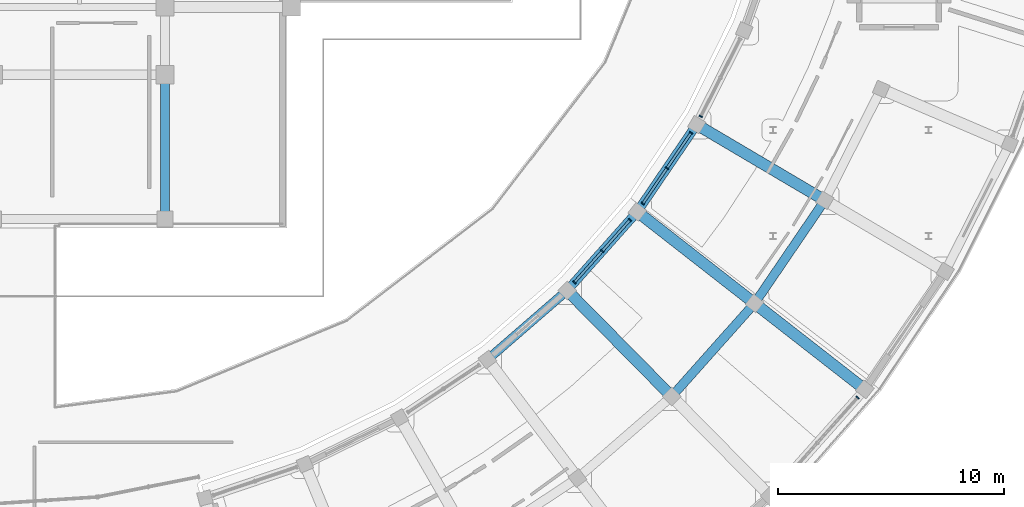
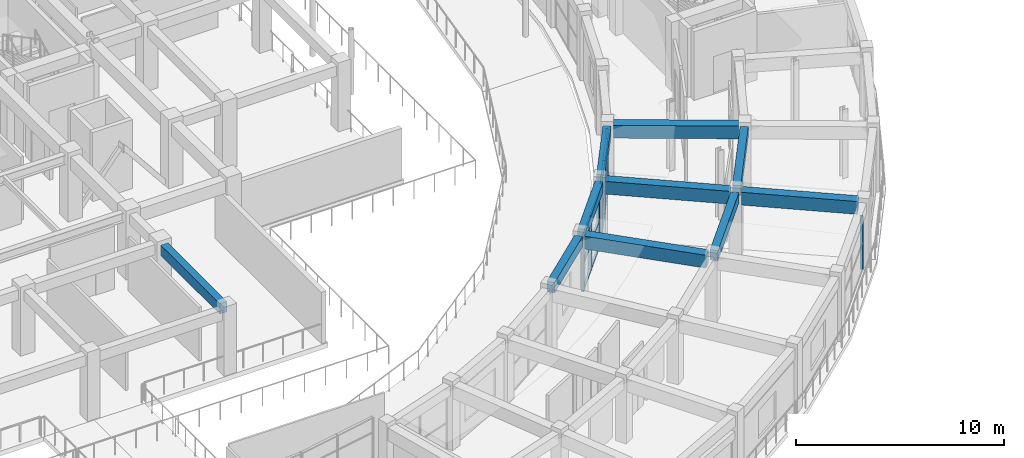
# One storey, part 21 of 83: 20 members, 10 beams, 4 elements without a shape of their own.
"""IFC4 building model written with IfcOpenShell, lengths in metres."""

from ifc_helpers import new_model, si_unit, direction, frame, origin, origin_2d, place, context, subcontext, project, spatial, rectangle, extrude, material, material_profile, profile_set, type_object, element, aggregate, save


model = new_model("IFC4")

# Units and contexts
model_context = context("Model", 3, precision=1e-05, world=origin(), true_north=direction((0.0, 1.0)))
body_context = subcontext(model_context, "Body", "Model", "MODEL_VIEW")
ifc_project = project(units=[si_unit("LENGTHUNIT", "METRE"), si_unit("AREAUNIT", "SQUARE_METRE"), si_unit("VOLUMEUNIT", "CUBIC_METRE"), si_unit("PLANEANGLEUNIT", "RADIAN"), si_unit("MASSUNIT", "GRAM", prefix="KILO")], contexts=[model_context])

# Site, building, storey
site_placement = place(None, origin())
site = spatial("IfcSite", under=ifc_project, at=site_placement, CompositionType="ELEMENT")
building_placement = place(site_placement, origin())
building = spatial("IfcBuilding", under=site, at=building_placement, Name="Saryqyr Civic Hall", CompositionType="ELEMENT")
storey_placement = place(building_placement, frame((0.0, 0.0, 9.14990234375)))
storey = spatial("IfcBuildingStorey", under=building, at=storey_placement, Name="L02", CompositionType="ELEMENT", Elevation=9.14990234375)

# Curtain wall, member
ifc_material_1 = material(Name="Anodised aluminium and triple low-E glass", Category="aluminium")
curtain_wall_type_1 = type_object("IfcCurtainWallType", Name="ENV-CW-STD-39", PredefinedType="NOTDEFINED", material=ifc_material_1)
curtain_wall_1_placement = place(storey_placement, origin())
curtain_wall_1 = element("IfcCurtainWall", 1, at=curtain_wall_1_placement, inside=storey, type_object=curtain_wall_type_1, Name="Curtain wall V5-CWO-L02-04", PredefinedType="NOTDEFINED")
ifc_material_2 = material(Name="Anodised aluminium", Category="aluminium")
ifc_material_profile_1 = material_profile(ifc_material_2, rectangle(XDim=0.06005859375, YDim=0.159912109375, at=origin_2d()), Name="ALU MULLION 60x160")
ifc_profile_set_1 = profile_set([ifc_material_profile_1], Name="Anodised aluminium")
member_type_1 = type_object("IfcMemberType", Name="ENV-CW-MUL-180", PredefinedType="MULLION", material=ifc_profile_set_1)
member_1_placement = place(storey_placement, frame((95.302978515625, 53.487060546875, 0.0), z_axis=(0.0, 0.0, 1.0), x_axis=(-0.664934159467, -0.746901977219, 0.0)))
member_1 = element("IfcMember", 2, at=member_1_placement, type_object=member_type_1, Name="CW-39 mullion 1", PredefinedType="MULLION", context=body_context, shape_type="SweptSolid", body=[
    extrude(rectangle(XDim=0.06005859375, YDim=0.159912109375, at=origin_2d()), origin(), (0.0, 0.0, 1.0), 3.1650390625),
])
aggregate(curtain_wall_1, [member_1])

# Curtain wall, members
curtain_wall_type_2 = type_object("IfcCurtainWallType", Name="ENV-CW-STD-27", PredefinedType="NOTDEFINED", material=ifc_material_1)
curtain_wall_2_placement = place(storey_placement, origin())
curtain_wall_2 = element("IfcCurtainWall", 3, at=curtain_wall_2_placement, inside=storey, type_object=curtain_wall_type_2, Name="Curtain wall V5-CWI-L02-04", PredefinedType="NOTDEFINED")
member_2_placement = place(storey_placement, frame((82.74951171875, 58.595947265625, 0.0), z_axis=(0.0, 0.0, 1.0), x_axis=(0.664934070862, 0.7469020561, 0.0)))
member_2 = element("IfcMember", 4, at=member_2_placement, type_object=member_type_1, Name="CW-27 mullion 1", PredefinedType="MULLION", context=body_context, shape_type="SweptSolid", body=[
    extrude(rectangle(XDim=0.06005859375, YDim=0.159912109375, at=origin_2d()), origin(), (0.0, 0.0, 1.0), 3.1650390625),
])
member_3_placement = place(storey_placement, frame((83.981201171875, 59.9794921875, 0.0), z_axis=(0.0, 0.0, 1.0), x_axis=(0.664934070862, 0.7469020561, 0.0)))
member_3 = element("IfcMember", 5, at=member_3_placement, type_object=member_type_1, Name="CW-27 mullion 2", PredefinedType="MULLION", context=body_context, shape_type="SweptSolid", body=[
    extrude(rectangle(XDim=0.06005859375, YDim=0.159912109375, at=origin_2d()), origin(), (0.0, 0.0, 1.0), 3.1650390625),
])
member_4_placement = place(storey_placement, frame((85.213134765625, 61.363037109375, 0.0), z_axis=(0.0, 0.0, 1.0), x_axis=(0.664934070862, 0.7469020561, 0.0)))
member_4 = element("IfcMember", 6, at=member_4_placement, type_object=member_type_1, Name="CW-27 mullion 3", PredefinedType="MULLION", context=body_context, shape_type="SweptSolid", body=[
    extrude(rectangle(XDim=0.06005859375, YDim=0.159912109375, at=origin_2d()), origin(), (0.0, 0.0, 1.0), 3.1650390625),
])

curtain_wall_3_placement = place(storey_placement, origin())
curtain_wall_3 = element("IfcCurtainWall", 7, at=curtain_wall_3_placement, inside=storey, type_object=curtain_wall_type_2, Name="Curtain wall V5-CWI-L02-05", PredefinedType="NOTDEFINED")
member_5_placement = place(storey_placement, frame((85.7841796875, 62.09033203125, 0.0), z_axis=(0.0, 0.0, 1.0), x_axis=(0.563129803105, 0.826368455869, 0.0)))
member_5 = element("IfcMember", 8, at=member_5_placement, type_object=member_type_1, Name="CW-27 mullion 1", PredefinedType="MULLION", context=body_context, shape_type="SweptSolid", body=[
    extrude(rectangle(XDim=0.06005859375, YDim=0.159912109375, at=origin_2d()), origin(), (0.0, 0.0, 1.0), 3.1650390625),
])
member_6_placement = place(storey_placement, frame((86.85205078125, 63.6572265625, 0.0), z_axis=(0.0, 0.0, 1.0), x_axis=(0.563129803105, 0.826368455869, 0.0)))
member_6 = element("IfcMember", 9, at=member_6_placement, type_object=member_type_1, Name="CW-27 mullion 2", PredefinedType="MULLION", context=body_context, shape_type="SweptSolid", body=[
    extrude(rectangle(XDim=0.06005859375, YDim=0.159912109375, at=origin_2d()), origin(), (0.0, 0.0, 1.0), 3.1650390625),
])
member_7_placement = place(storey_placement, frame((87.919921875, 65.22412109375, 0.0), z_axis=(0.0, 0.0, 1.0), x_axis=(0.563129803105, 0.826368455869, 0.0)))
member_7 = element("IfcMember", 10, at=member_7_placement, type_object=member_type_1, Name="CW-27 mullion 3", PredefinedType="MULLION", context=body_context, shape_type="SweptSolid", body=[
    extrude(rectangle(XDim=0.06005859375, YDim=0.159912109375, at=origin_2d()), origin(), (0.0, 0.0, 1.0), 3.1650390625),
])

# Curtain wall, member
curtain_wall_type_3 = type_object("IfcCurtainWallType", Name="ENV-CW-STD-25", PredefinedType="NOTDEFINED", material=ifc_material_1)
curtain_wall_4_placement = place(storey_placement, origin())
curtain_wall_4 = element("IfcCurtainWall", 11, at=curtain_wall_4_placement, inside=storey, type_object=curtain_wall_type_3, Name="Curtain wall V5-CWI-L02-06", PredefinedType="NOTDEFINED")
member_8_placement = place(storey_placement, frame((88.354248046875, 65.955810546875, 0.0), z_axis=(0.0, 0.0, 1.0), x_axis=(0.451909750219, 0.892063662334, 0.0)))
member_8 = element("IfcMember", 12, at=member_8_placement, type_object=member_type_1, Name="CW-25 mullion 1", PredefinedType="MULLION", context=body_context, shape_type="SweptSolid", body=[
    extrude(rectangle(XDim=0.06005859375, YDim=0.159912109375, at=origin_2d()), origin(), (0.0, 0.0, 1.0), 3.1650390625),
])
aggregate(curtain_wall_4, [member_8])

# Member
ifc_material_profile_2 = material_profile(ifc_material_2, rectangle(XDim=0.1201171875, YDim=0.06005859375, at=origin_2d()), Name="ALU TRANSOM 120x60")
ifc_profile_set_2 = profile_set([ifc_material_profile_2], Name="Anodised aluminium")
member_type_2 = type_object("IfcMemberType", Name="ENV-CW-TRN-150", PredefinedType="USERDEFINED", material=ifc_profile_set_2)
member_9_placement = place(storey_placement, frame((82.76953125, 58.618408203125, 0.030029296875), z_axis=(0.664989244005, 0.746852934223, 0.0), x_axis=(-0.746852934223, 0.664989244005, 0.0)))
member_9 = element("IfcMember", 13, at=member_9_placement, type_object=member_type_2, Name="CW-27 transom 1.1", ObjectType="TRANSOM", PredefinedType="USERDEFINED", context=body_context, shape_type="SweptSolid", body=[
    extrude(rectangle(XDim=0.1201171875, YDim=0.06005859375, at=origin_2d()), origin(), (0.0, 0.0, 1.0), 1.792236328125),
])

member_10_placement = place(storey_placement, frame((82.76953125, 58.618408203125, 1.58203125), z_axis=(0.664989244005, 0.746852934223, 0.0), x_axis=(-0.746852934223, 0.664989244005, 0.0)))
member_10 = element("IfcMember", 14, at=member_10_placement, type_object=member_type_2, Name="CW-27 transom 1.2", ObjectType="TRANSOM", PredefinedType="USERDEFINED", context=body_context, shape_type="SweptSolid", body=[
    extrude(rectangle(XDim=0.1201171875, YDim=0.06005859375, at=origin_2d()), origin(), (0.0, 0.0, 1.0), 1.792236328125),
])

member_11_placement = place(storey_placement, frame((82.76953125, 58.618408203125, 3.135009765625), z_axis=(0.664989244005, 0.746852934223, 0.0), x_axis=(-0.746852934223, 0.664989244005, 0.0)))
member_11 = element("IfcMember", 15, at=member_11_placement, type_object=member_type_2, Name="CW-27 transom 1.3", ObjectType="TRANSOM", PredefinedType="USERDEFINED", context=body_context, shape_type="SweptSolid", body=[
    extrude(rectangle(XDim=0.1201171875, YDim=0.06005859375, at=origin_2d()), origin(), (0.0, 0.0, 1.0), 1.792236328125),
])

member_12_placement = place(storey_placement, frame((84.001220703125, 60.001953125, 0.030029296875), z_axis=(0.664989244005, 0.746852934223, 0.0), x_axis=(-0.746852934223, 0.664989244005, 0.0)))
member_12 = element("IfcMember", 16, at=member_12_placement, type_object=member_type_2, Name="CW-27 transom 2.1", ObjectType="TRANSOM", PredefinedType="USERDEFINED", context=body_context, shape_type="SweptSolid", body=[
    extrude(rectangle(XDim=0.1201171875, YDim=0.06005859375, at=origin_2d()), origin(), (0.0, 0.0, 1.0), 1.792236328125),
])

member_13_placement = place(storey_placement, frame((84.001220703125, 60.001953125, 1.58203125), z_axis=(0.664989244005, 0.746852934223, 0.0), x_axis=(-0.746852934223, 0.664989244005, 0.0)))
member_13 = element("IfcMember", 17, at=member_13_placement, type_object=member_type_2, Name="CW-27 transom 2.2", ObjectType="TRANSOM", PredefinedType="USERDEFINED", context=body_context, shape_type="SweptSolid", body=[
    extrude(rectangle(XDim=0.1201171875, YDim=0.06005859375, at=origin_2d()), origin(), (0.0, 0.0, 1.0), 1.792236328125),
])

member_14_placement = place(storey_placement, frame((84.001220703125, 60.001953125, 3.135009765625), z_axis=(0.664989244005, 0.746852934223, 0.0), x_axis=(-0.746852934223, 0.664989244005, 0.0)))
member_14 = element("IfcMember", 18, at=member_14_placement, type_object=member_type_2, Name="CW-27 transom 2.3", ObjectType="TRANSOM", PredefinedType="USERDEFINED", context=body_context, shape_type="SweptSolid", body=[
    extrude(rectangle(XDim=0.1201171875, YDim=0.06005859375, at=origin_2d()), origin(), (0.0, 0.0, 1.0), 1.792236328125),
])

aggregate(curtain_wall_2, [member_2, member_3, member_4, member_9, member_10, member_11, member_12, member_13, member_14])

member_15_placement = place(storey_placement, frame((85.80126953125, 62.114990234375, 0.030029296875), z_axis=(0.56304801064, 0.826424187518, 0.0), x_axis=(-0.826424187518, 0.56304801064, 0.0)))
member_15 = element("IfcMember", 19, at=member_15_placement, type_object=member_type_2, Name="CW-27 transom 1.1", ObjectType="TRANSOM", PredefinedType="USERDEFINED", context=body_context, shape_type="SweptSolid", body=[
    extrude(rectangle(XDim=0.1201171875, YDim=0.06005859375, at=origin_2d()), origin(), (0.0, 0.0, 1.0), 1.83642578125),
])

member_16_placement = place(storey_placement, frame((85.80126953125, 62.114990234375, 1.58203125), z_axis=(0.56304801064, 0.826424187518, 0.0), x_axis=(-0.826424187518, 0.56304801064, 0.0)))
member_16 = element("IfcMember", 20, at=member_16_placement, type_object=member_type_2, Name="CW-27 transom 1.2", ObjectType="TRANSOM", PredefinedType="USERDEFINED", context=body_context, shape_type="SweptSolid", body=[
    extrude(rectangle(XDim=0.1201171875, YDim=0.06005859375, at=origin_2d()), origin(), (0.0, 0.0, 1.0), 1.83642578125),
])

member_17_placement = place(storey_placement, frame((85.80126953125, 62.114990234375, 3.135009765625), z_axis=(0.56304801064, 0.826424187518, 0.0), x_axis=(-0.826424187518, 0.56304801064, 0.0)))
member_17 = element("IfcMember", 21, at=member_17_placement, type_object=member_type_2, Name="CW-27 transom 1.3", ObjectType="TRANSOM", PredefinedType="USERDEFINED", context=body_context, shape_type="SweptSolid", body=[
    extrude(rectangle(XDim=0.1201171875, YDim=0.06005859375, at=origin_2d()), origin(), (0.0, 0.0, 1.0), 1.83642578125),
])

member_18_placement = place(storey_placement, frame((86.868896484375, 63.68212890625, 0.030029296875), z_axis=(0.563200673278, 0.826320156852, 0.0), x_axis=(-0.826320156852, 0.563200673278, 0.0)))
member_18 = element("IfcMember", 22, at=member_18_placement, type_object=member_type_2, Name="CW-27 transom 2.1", ObjectType="TRANSOM", PredefinedType="USERDEFINED", context=body_context, shape_type="SweptSolid", body=[
    extrude(rectangle(XDim=0.1201171875, YDim=0.06005859375, at=origin_2d()), origin(), (0.0, 0.0, 1.0), 1.836181640625),
])

member_19_placement = place(storey_placement, frame((86.868896484375, 63.68212890625, 1.58203125), z_axis=(0.563200673278, 0.826320156852, 0.0), x_axis=(-0.826320156852, 0.563200673278, 0.0)))
member_19 = element("IfcMember", 23, at=member_19_placement, type_object=member_type_2, Name="CW-27 transom 2.2", ObjectType="TRANSOM", PredefinedType="USERDEFINED", context=body_context, shape_type="SweptSolid", body=[
    extrude(rectangle(XDim=0.1201171875, YDim=0.06005859375, at=origin_2d()), origin(), (0.0, 0.0, 1.0), 1.836181640625),
])

member_20_placement = place(storey_placement, frame((86.868896484375, 63.68212890625, 3.135009765625), z_axis=(0.563200673278, 0.826320156852, 0.0), x_axis=(-0.826320156852, 0.563200673278, 0.0)))
member_20 = element("IfcMember", 24, at=member_20_placement, type_object=member_type_2, Name="CW-27 transom 2.3", ObjectType="TRANSOM", PredefinedType="USERDEFINED", context=body_context, shape_type="SweptSolid", body=[
    extrude(rectangle(XDim=0.1201171875, YDim=0.06005859375, at=origin_2d()), origin(), (0.0, 0.0, 1.0), 1.836181640625),
])

aggregate(curtain_wall_3, [member_5, member_6, member_7, member_15, member_16, member_17, member_18, member_19, member_20])

# Beams
ifc_material_3 = material(Name="Concrete C35/45", Category="concrete")
ifc_material_profile_3 = material_profile(ifc_material_3, rectangle(XDim=0.39990234375, YDim=0.60009765625, at=origin_2d()), Name="RC 400x600")
ifc_profile_set_3 = profile_set([ifc_material_profile_3], Name="Concrete C35/45")
beam_type_1 = type_object("IfcBeamType", Name="STR-BM-RC400x600", PredefinedType="BEAM", material=ifc_profile_set_3)
beam_1_placement = place(storey_placement, frame((64.60009765625, 61.72509765625, 3.489990234375), z_axis=(0.0, 1.0, 0.0), x_axis=(-1.0, 0.0, 0.0)))
element("IfcBeam", 25, at=beam_1_placement, inside=storey, type_object=beam_type_1, Name="Beam V1-TBM-09-L02", PredefinedType="BEAM", context=body_context, shape_type="SweptSolid", body=[
    extrude(rectangle(XDim=0.39990234375, YDim=0.60009765625, at=origin_2d()), origin(), (0.0, 0.0, 1.0), 5.699951171875),
])
for number, where, z_axis, x_axis, name in (
    (26, (87.24560546875, 53.7412109375, 3.489990234375), (0.664939021665, 0.746897648589, 0.0), (-0.746897648589, 0.664939021665, 0.0), "Beam V5-CBM-MID04-L02"),
    (27, (90.893310546875, 57.8916015625, 3.489990234375), (0.563126776121, 0.826370518603, 0.0), (-0.826370518603, 0.563126776121, 0.0), "Beam V5-CBM-MID05-L02"),
):
    element("IfcBeam", number, at=place(storey_placement, frame(where, z_axis=z_axis, x_axis=x_axis)), inside=storey, type_object=beam_type_1, Name=name, PredefinedType="BEAM", context=body_context, shape_type="SweptSolid", body=[
        extrude(rectangle(XDim=0.39990234375, YDim=0.60009765625, at=origin_2d()), origin(), (0.0, 0.0, 1.0), 4.9775390625),
    ])
ifc_material_profile_4 = material_profile(ifc_material_3, rectangle(XDim=0.39990234375, YDim=0.60009765625, at=origin_2d()), Name="RC 400x600")
ifc_profile_set_4 = profile_set([ifc_material_profile_4], Name="Concrete C35/45")
beam_type_2 = type_object("IfcBeamType", Name="STR-BM-RC400x600-EXT", PredefinedType="BEAM", material=ifc_profile_set_4)
beam_2_placement = place(storey_placement, frame((79.101806640625, 55.351318359375, 3.489990234375), z_axis=(0.755618782617, 0.655011645207, 0.0), x_axis=(-0.655011645207, 0.755618782617, 0.0)))
element("IfcBeam", 28, at=beam_2_placement, inside=storey, type_object=beam_type_2, Name="Beam V5-CBM-IN03-L02", PredefinedType="BEAM", context=body_context, shape_type="SweptSolid", body=[
    extrude(rectangle(XDim=0.39990234375, YDim=0.60009765625, at=origin_2d()), origin(), (0.0, 0.0, 1.0), 4.125244140625),
])
beam_3_placement = place(storey_placement, frame((82.60986328125, 58.43896484375, 3.489990234375), z_axis=(0.664933037621, 0.746902975948, 0.0), x_axis=(-0.746902975948, 0.664933037621, 0.0)))
element("IfcBeam", 29, at=beam_3_placement, inside=storey, type_object=beam_type_2, Name="Beam V5-CBM-IN04-L02", PredefinedType="BEAM", context=body_context, shape_type="SweptSolid", body=[
    extrude(rectangle(XDim=0.39990234375, YDim=0.60009765625, at=origin_2d()), origin(), (0.0, 0.0, 1.0), 4.125),
])
beam_4_placement = place(storey_placement, frame((85.690673828125, 61.952880859375, 3.489990234375), z_axis=(0.56312561749, 0.826371308146, 0.0), x_axis=(-0.826371308146, 0.56312561749, 0.0)))
element("IfcBeam", 30, at=beam_4_placement, inside=storey, type_object=beam_type_2, Name="Beam V5-CBM-IN05-L02", PredefinedType="BEAM", context=body_context, shape_type="SweptSolid", body=[
    extrude(rectangle(XDim=0.39990234375, YDim=0.60009765625, at=origin_2d()), origin(), (0.0, 0.0, 1.0), 4.125244140625),
])
ifc_material_4 = material(Name="Concrete C40/50", Category="concrete")
ifc_material_profile_5 = material_profile(ifc_material_4, rectangle(XDim=0.5, YDim=0.75, at=origin_2d()), Name="RC 500x750")
ifc_profile_set_5 = profile_set([ifc_material_profile_5], Name="Concrete C40/50")
beam_type_3 = type_object("IfcBeamType", Name="STR-BM-RC500x750", PredefinedType="BEAM", material=ifc_profile_set_5)
for number, where, z_axis, x_axis, name in (
    (31, (82.6201171875, 58.037841796875, 3.4150390625), (0.702389990829, -0.711792315766, 0.0), (0.711792315766, 0.702389990829, 0.0), "Beam V5-RBM-A04-L02"),
    (32, (85.75244140625, 61.556396484375, 3.4150390625), (0.788258017603, -0.615344860777, 0.0), (0.615344860777, 0.788258017603, 0.0), "Beam V5-RBM-A05-L02"),
):
    element("IfcBeam", number, at=place(storey_placement, frame(where, z_axis=z_axis, x_axis=x_axis)), inside=storey, type_object=beam_type_3, Name=name, PredefinedType="BEAM", context=body_context, shape_type="SweptSolid", body=[
        extrude(rectangle(XDim=0.5, YDim=0.75, at=origin_2d()), origin(), (0.0, 0.0, 1.0), 6.050048828125),
    ])
beam_5_placement = place(storey_placement, frame((90.955078125, 57.4951171875, 3.4150390625), z_axis=(0.788283067243, -0.615312770791, 0.0), x_axis=(0.615312770791, 0.788283067243, 0.0)))
element("IfcBeam", 33, at=beam_5_placement, inside=storey, type_object=beam_type_3, Name="Beam V5-RBM-B05-L02", PredefinedType="BEAM", context=body_context, shape_type="SweptSolid", body=[
    extrude(rectangle(XDim=0.5, YDim=0.75, at=origin_2d()), origin(), (0.0, 0.0, 1.0), 5.650146484375),
])
beam_6_placement = place(storey_placement, frame((88.4052734375, 65.44921875, 3.4150390625), z_axis=(0.861018900268, -0.508572957776, 0.0), x_axis=(0.508572957776, 0.861018900268, 0.0)))
element("IfcBeam", 34, at=beam_6_placement, inside=storey, type_object=beam_type_3, Name="Beam V5-RBM-A06-L02", PredefinedType="BEAM", context=body_context, shape_type="SweptSolid", body=[
    extrude(rectangle(XDim=0.5, YDim=0.75, at=origin_2d()), origin(), (0.0, 0.0, 1.0), 6.050048828125),
])

save(model, "model.ifc")
